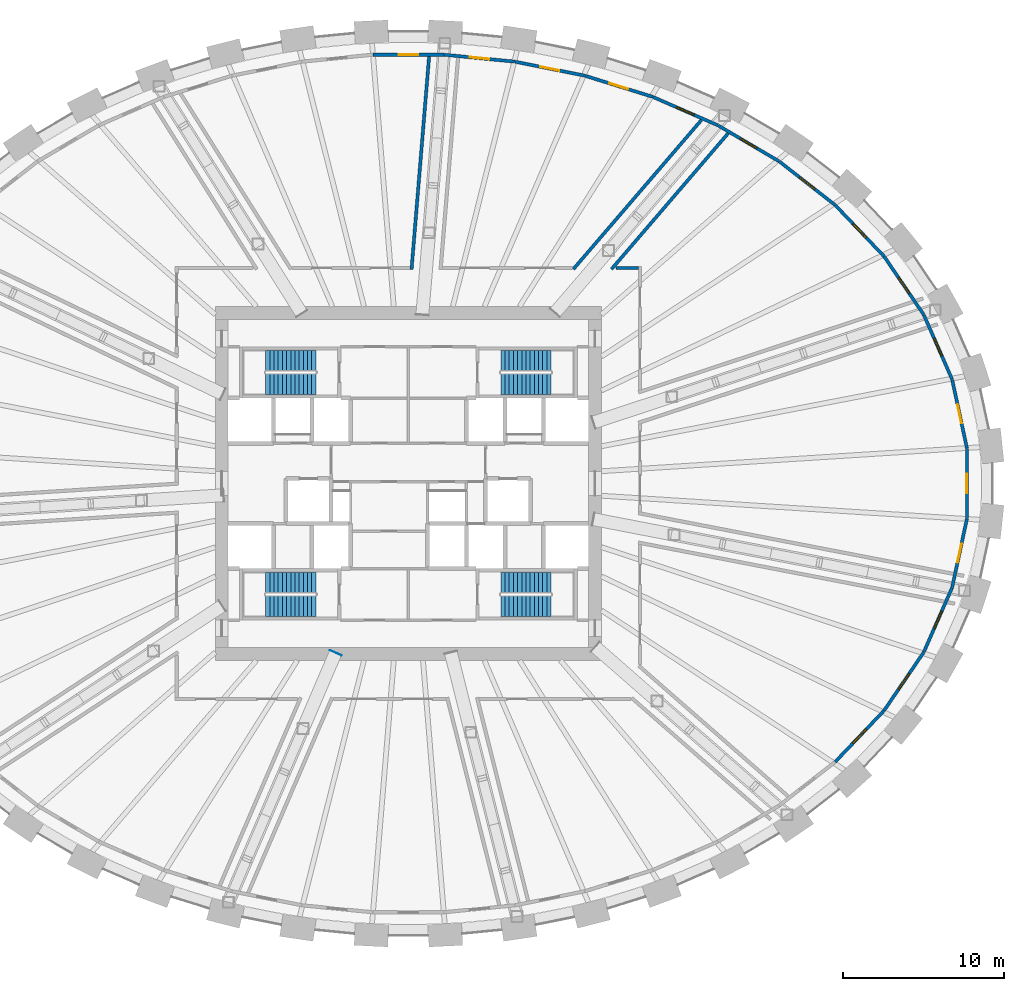
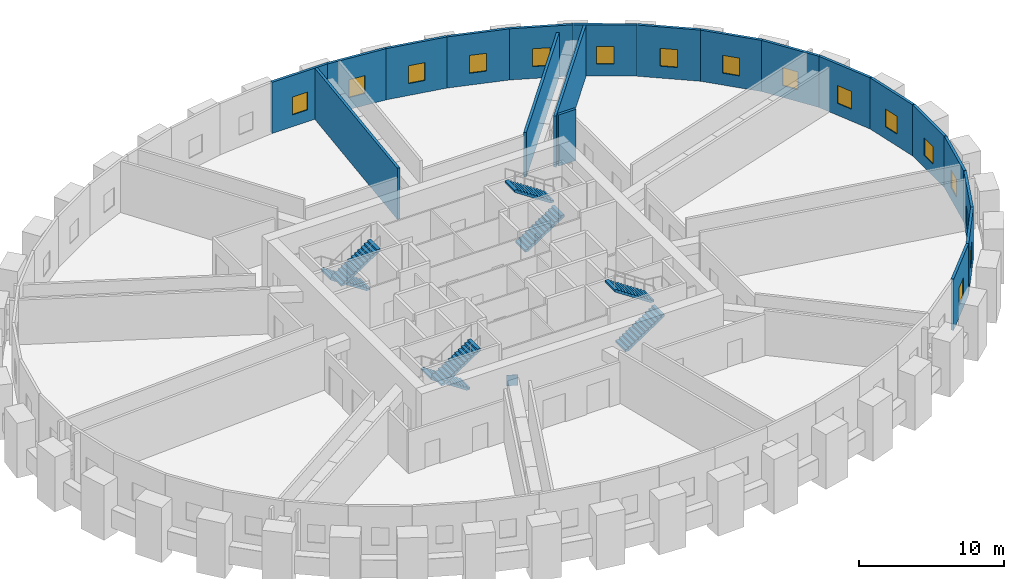
# One storey, part 11 of 13: 20 walls, 16 windows, 8 stair flights, 1 discrete accessory, 16 openings, 4 elements without a shape of their own.
"""IFC4 building model written with IfcOpenShell, lengths in metres."""

from ifc_helpers import new_model, si_unit, direction, frame, frame_2d, origin, origin_2d, place, context, subcontext, project, spatial, polyline, rectangle, outline, extrude, source, transform, mapped, material, layer, layer_set, type_object, element, fill, aggregate, save


model = new_model("IFC4")

# Units and contexts
model_context = context("Model", 3, precision=1e-05, world=origin(), true_north=direction((0.0, 1.0)))
body_context = subcontext(model_context, "Body", "Model", "MODEL_VIEW")
ifc_project = project(units=[si_unit("LENGTHUNIT", "METRE"), si_unit("AREAUNIT", "SQUARE_METRE"), si_unit("VOLUMEUNIT", "CUBIC_METRE"), si_unit("PLANEANGLEUNIT", "RADIAN"), si_unit("MASSUNIT", "GRAM", prefix="KILO")], contexts=[model_context])

# Site, building, storey
site_placement = place(None, origin())
site = spatial("IfcSite", under=ifc_project, at=site_placement, CompositionType="ELEMENT")
building_placement = place(site_placement, origin())
building = spatial("IfcBuilding", under=site, at=building_placement, Name="Embergate Tower", CompositionType="ELEMENT")
storey_placement = place(building_placement, frame((0.0, 0.0, 195.0)))
storey = spatial("IfcBuildingStorey", under=building, at=storey_placement, Name="L44", CompositionType="ELEMENT", Elevation=195.0)

# Wall, opening, window
ifc_material_1 = material(Name="Terracotta louvre cladding on insulated backing", Category="masonry")
ifc_layer_1 = layer(ifc_material_1, 0.199951171875)
ifc_layer_set_1 = layer_set([ifc_layer_1], Name="Terracotta louvre cladding on insulated backing")
wall_type_1 = type_object("IfcWallType", Name="Terracotta louvre wall", PredefinedType="SOLIDWALL", material=ifc_layer_set_1)
shared_shape_1 = source(origin(), body_context, "Body", "SweptSolid", [
    extrude(rectangle(XDim=4.35986328125, YDim=0.199951171875, at=frame_2d((2.179931640625, 0.0))), origin(), (0.0, 0.0, 1.0), 4.300048828125),
])
wall_1_placement = place(storey_placement, frame((33.805419921875, 6.46044921875, 0.0), z_axis=(0.0, 0.0, 1.0), x_axis=(0.210385645864, -0.977618473646, 0.0)))
wall_1 = element("IfcWall", 1, at=wall_1_placement, inside=storey, type_object=wall_type_1, Name="Louvre wall 1", PredefinedType="SOLIDWALL", context=body_context, shape_type="MappedRepresentation", body=[
    mapped(shared_shape_1, transform((0.0, 0.0, 0.0))),
])
shared_shape_2 = source(origin(), body_context, "Body", "SweptSolid", [
    extrude(rectangle(XDim=1.199951171875, YDim=1.5, at=frame_2d((0.60009765625, 0.75))), frame((0.0, 0.10986328125, 0.0), z_axis=(0.0, -1.0, 0.0), x_axis=(1.0, 0.0, 0.0)), (0.0, 0.0, 1.0), 0.219970703125),
])
opening_1_placement = place(wall_1_placement, frame((1.579833984375, 0.0, 1.0)))
opening_1 = element("IfcOpeningElement", 2, at=opening_1_placement, cuts=wall_1, Name="Opening RW", PredefinedType="OPENING", context=body_context, shape_type="MappedRepresentation", body=[
    mapped(shared_shape_2, transform((0.0, 0.0, 0.0))),
])
ifc_material_2 = material(Name="Aluminium, thermally broken, triple glazed", Category="aluminium")
window_type = type_object("IfcWindowType", Name="Refuge operable window", PartitioningType="SINGLE_PANEL", PredefinedType="WINDOW", material=ifc_material_2)
shared_shape_3 = source(origin(), body_context, "Body", "SweptSolid", [
    extrude(rectangle(XDim=1.199951171875, YDim=1.5, at=frame_2d((0.60009765625, 0.75))), frame((0.0, 0.030029296875, 0.0), z_axis=(0.0, -1.0, 0.0), x_axis=(1.0, 0.0, 0.0)), (0.0, 0.0, 1.0), 0.06005859375),
])
window_1_placement = place(opening_1_placement, origin())
window_1 = element("IfcWindow", 3, at=window_1_placement, inside=storey, type_object=window_type, Name="Refuge window 1", OverallHeight=1.5, OverallWidth=1.199951171875, PartitioningType="SINGLE_PANEL", PredefinedType="WINDOW", context=body_context, shape_type="MappedRepresentation", body=[
    mapped(shared_shape_3, transform((0.0, 0.0, 0.0))),
])
fill(opening_1, window_1)

wall_2_placement = place(storey_placement, frame((34.72265625, -2.1982421875, 0.0), z_axis=(0.0, 0.0, 1.0), x_axis=(-0.210385645864, -0.977618473646, 0.0)))
wall_2 = element("IfcWall", 4, at=wall_2_placement, inside=storey, type_object=wall_type_1, Name="Louvre wall 43", PredefinedType="SOLIDWALL", context=body_context, shape_type="MappedRepresentation", body=[
    mapped(shared_shape_1, transform((0.0, 0.0, 0.0))),
])
opening_2_placement = place(wall_2_placement, frame((1.579833984375, 0.0, 1.0)))
opening_2 = element("IfcOpeningElement", 5, at=opening_2_placement, cuts=wall_2, Name="Opening RW", PredefinedType="OPENING", context=body_context, shape_type="MappedRepresentation", body=[
    mapped(shared_shape_2, transform((0.0, 0.0, 0.0))),
])
window_2_placement = place(opening_2_placement, origin())
window_2 = element("IfcWindow", 6, at=window_2_placement, inside=storey, type_object=window_type, Name="Refuge window 43", OverallHeight=1.5, OverallWidth=1.199951171875, PartitioningType="SINGLE_PANEL", PredefinedType="WINDOW", context=body_context, shape_type="MappedRepresentation", body=[
    mapped(shared_shape_3, transform((0.0, 0.0, 0.0))),
])
fill(opening_2, window_2)

shared_shape_4 = source(origin(), body_context, "Body", "SweptSolid", [
    extrude(rectangle(XDim=4.36669921875, YDim=0.199951171875, at=frame_2d((2.183349609375, 0.0))), origin(), (0.0, 0.0, 1.0), 4.300048828125),
])
wall_3_placement = place(storey_placement, frame((32.04541015625, 10.478515625, 0.0), z_axis=(0.0, 0.0, 1.0), x_axis=(0.40165162364, -0.915792538312, 0.0)))
wall_3 = element("IfcWall", 7, at=wall_3_placement, inside=storey, type_object=wall_type_1, Name="Louvre wall 2", PredefinedType="SOLIDWALL", context=body_context, shape_type="MappedRepresentation", body=[
    mapped(shared_shape_4, transform((0.0, 0.0, 0.0))),
])
opening_3_placement = place(wall_3_placement, frame((1.58349609375, 0.0, 1.0)))
opening_3 = element("IfcOpeningElement", 8, at=opening_3_placement, cuts=wall_3, Name="Opening RW", PredefinedType="OPENING", context=body_context, shape_type="MappedRepresentation", body=[
    mapped(shared_shape_2, transform((0.0, 0.0, 0.0))),
])
window_3_placement = place(opening_3_placement, origin())
window_3 = element("IfcWindow", 9, at=window_3_placement, inside=storey, type_object=window_type, Name="Refuge window 2", OverallHeight=1.5, OverallWidth=1.199951171875, PartitioningType="SINGLE_PANEL", PredefinedType="WINDOW", context=body_context, shape_type="MappedRepresentation", body=[
    mapped(shared_shape_3, transform((0.0, 0.0, 0.0))),
])
fill(opening_3, window_3)

wall_4_placement = place(storey_placement, frame((33.79931640625, -6.4794921875, 0.0), z_axis=(0.0, 0.0, 1.0), x_axis=(-0.40165162364, -0.915792538312, 0.0)))
wall_4 = element("IfcWall", 10, at=wall_4_placement, inside=storey, type_object=wall_type_1, Name="Louvre wall 42", PredefinedType="SOLIDWALL", context=body_context, shape_type="MappedRepresentation", body=[
    mapped(shared_shape_4, transform((0.0, 0.0, 0.0))),
])
opening_4_placement = place(wall_4_placement, frame((1.58349609375, 0.0, 1.0)))
opening_4 = element("IfcOpeningElement", 11, at=opening_4_placement, cuts=wall_4, Name="Opening RW", PredefinedType="OPENING", context=body_context, shape_type="MappedRepresentation", body=[
    mapped(shared_shape_2, transform((0.0, 0.0, 0.0))),
])
window_4_placement = place(opening_4_placement, origin())
window_4 = element("IfcWindow", 12, at=window_4_placement, inside=storey, type_object=window_type, Name="Refuge window 42", OverallHeight=1.5, OverallWidth=1.199951171875, PartitioningType="SINGLE_PANEL", PredefinedType="WINDOW", context=body_context, shape_type="MappedRepresentation", body=[
    mapped(shared_shape_3, transform((0.0, 0.0, 0.0))),
])
fill(opening_4, window_4)

shared_shape_5 = source(origin(), body_context, "Body", "SweptSolid", [
    extrude(rectangle(XDim=4.375732421875, YDim=0.199951171875, at=frame_2d((2.18798828125, 0.0))), origin(), (0.0, 0.0, 1.0), 4.300048828125),
])
wall_5_placement = place(storey_placement, frame((29.5751953125, 14.1142578125, 0.0), z_axis=(0.0, 0.0, 1.0), x_axis=(0.562299338561, -0.826933766304, 0.0)))
wall_5 = element("IfcWall", 13, at=wall_5_placement, inside=storey, type_object=wall_type_1, Name="Louvre wall 3", PredefinedType="SOLIDWALL", context=body_context, shape_type="MappedRepresentation", body=[
    mapped(shared_shape_5, transform((0.0, 0.0, 0.0))),
])
opening_5_placement = place(wall_5_placement, frame((1.587890625, 0.0, 1.0)))
opening_5 = element("IfcOpeningElement", 14, at=opening_5_placement, cuts=wall_5, Name="Opening RW", PredefinedType="OPENING", context=body_context, shape_type="MappedRepresentation", body=[
    mapped(shared_shape_2, transform((0.0, 0.0, 0.0))),
])
window_5_placement = place(opening_5_placement, origin())
window_5 = element("IfcWindow", 15, at=window_5_placement, inside=storey, type_object=window_type, Name="Refuge window 3", OverallHeight=1.5, OverallWidth=1.199951171875, PartitioningType="SINGLE_PANEL", PredefinedType="WINDOW", context=body_context, shape_type="MappedRepresentation", body=[
    mapped(shared_shape_3, transform((0.0, 0.0, 0.0))),
])
fill(opening_5, window_5)

wall_6_placement = place(storey_placement, frame((32.03564453125, -10.495849609375, 0.0), z_axis=(0.0, 0.0, 1.0), x_axis=(-0.562299338561, -0.826933766304, 0.0)))
wall_6 = element("IfcWall", 16, at=wall_6_placement, inside=storey, type_object=wall_type_1, Name="Louvre wall 41", PredefinedType="SOLIDWALL", context=body_context, shape_type="MappedRepresentation", body=[
    mapped(shared_shape_5, transform((0.0, 0.0, 0.0))),
])
opening_6_placement = place(wall_6_placement, frame((1.587890625, 0.0, 1.0)))
opening_6 = element("IfcOpeningElement", 17, at=opening_6_placement, cuts=wall_6, Name="Opening RW", PredefinedType="OPENING", context=body_context, shape_type="MappedRepresentation", body=[
    mapped(shared_shape_2, transform((0.0, 0.0, 0.0))),
])
window_6_placement = place(opening_6_placement, origin())
window_6 = element("IfcWindow", 18, at=window_6_placement, inside=storey, type_object=window_type, Name="Refuge window 41", OverallHeight=1.5, OverallWidth=1.199951171875, PartitioningType="SINGLE_PANEL", PredefinedType="WINDOW", context=body_context, shape_type="MappedRepresentation", body=[
    mapped(shared_shape_3, transform((0.0, 0.0, 0.0))),
])
fill(opening_6, window_6)

shared_shape_6 = source(origin(), body_context, "Body", "SweptSolid", [
    extrude(rectangle(XDim=4.384521484375, YDim=0.199951171875, at=frame_2d((2.1923828125, 0.0))), origin(), (0.0, 0.0, 1.0), 4.300048828125),
])
wall_7_placement = place(storey_placement, frame((26.536865234375, 17.302734375, 0.0), z_axis=(0.0, 0.0, 1.0), x_axis=(0.690090256074, -0.723723316242, 0.0)))
wall_7 = element("IfcWall", 19, at=wall_7_placement, inside=storey, type_object=wall_type_1, Name="Louvre wall 4", PredefinedType="SOLIDWALL", context=body_context, shape_type="MappedRepresentation", body=[
    mapped(shared_shape_6, transform((0.0, 0.0, 0.0))),
])
opening_7_placement = place(wall_7_placement, frame((1.59228515625, 0.0, 1.0)))
opening_7 = element("IfcOpeningElement", 20, at=opening_7_placement, cuts=wall_7, Name="Opening RW", PredefinedType="OPENING", context=body_context, shape_type="MappedRepresentation", body=[
    mapped(shared_shape_2, transform((0.0, 0.0, 0.0))),
])
window_7_placement = place(opening_7_placement, origin())
window_7 = element("IfcWindow", 21, at=window_7_placement, inside=storey, type_object=window_type, Name="Refuge window 4", OverallHeight=1.5, OverallWidth=1.199951171875, PartitioningType="SINGLE_PANEL", PredefinedType="WINDOW", context=body_context, shape_type="MappedRepresentation", body=[
    mapped(shared_shape_3, transform((0.0, 0.0, 0.0))),
])
fill(opening_7, window_7)

wall_8_placement = place(storey_placement, frame((29.5625, -14.129638671875, 0.0), z_axis=(0.0, 0.0, 1.0), x_axis=(-0.690090256074, -0.723723316242, 0.0)))
wall_8 = element("IfcWall", 22, at=wall_8_placement, inside=storey, type_object=wall_type_1, Name="Louvre wall 40", PredefinedType="SOLIDWALL", context=body_context, shape_type="MappedRepresentation", body=[
    mapped(shared_shape_6, transform((0.0, 0.0, 0.0))),
])
opening_8_placement = place(wall_8_placement, frame((1.59228515625, 0.0, 1.0)))
opening_8 = element("IfcOpeningElement", 23, at=opening_8_placement, cuts=wall_8, Name="Opening RW", PredefinedType="OPENING", context=body_context, shape_type="MappedRepresentation", body=[
    mapped(shared_shape_2, transform((0.0, 0.0, 0.0))),
])
window_8_placement = place(opening_8_placement, origin())
window_8 = element("IfcWindow", 24, at=window_8_placement, inside=storey, type_object=window_type, Name="Refuge window 40", OverallHeight=1.5, OverallWidth=1.199951171875, PartitioningType="SINGLE_PANEL", PredefinedType="WINDOW", context=body_context, shape_type="MappedRepresentation", body=[
    mapped(shared_shape_3, transform((0.0, 0.0, 0.0))),
])
fill(opening_8, window_8)

shared_shape_7 = source(origin(), body_context, "Body", "SweptSolid", [
    extrude(rectangle(XDim=4.391845703125, YDim=0.199951171875, at=frame_2d((2.19580078125, 0.0))), origin(), (0.0, 0.0, 1.0), 4.300048828125),
])
wall_9_placement = place(storey_placement, frame((23.059814453125, 20.018310546875, 0.0), z_axis=(0.0, 0.0, 1.0), x_axis=(0.788318413973, -0.615267485075, 0.0)))
wall_9 = element("IfcWall", 25, at=wall_9_placement, inside=storey, type_object=wall_type_1, Name="Louvre wall 5", PredefinedType="SOLIDWALL", context=body_context, shape_type="MappedRepresentation", body=[
    mapped(shared_shape_7, transform((0.0, 0.0, 0.0))),
])
opening_9_placement = place(wall_9_placement, frame((1.595947265625, 0.0, 1.0)))
opening_9 = element("IfcOpeningElement", 26, at=opening_9_placement, cuts=wall_9, Name="Opening RW", PredefinedType="OPENING", context=body_context, shape_type="MappedRepresentation", body=[
    mapped(shared_shape_2, transform((0.0, 0.0, 0.0))),
])
window_9_placement = place(opening_9_placement, origin())
window_9 = element("IfcWindow", 27, at=window_9_placement, inside=storey, type_object=window_type, Name="Refuge window 5", OverallHeight=1.5, OverallWidth=1.199951171875, PartitioningType="SINGLE_PANEL", PredefinedType="WINDOW", context=body_context, shape_type="MappedRepresentation", body=[
    mapped(shared_shape_3, transform((0.0, 0.0, 0.0))),
])
fill(opening_9, window_9)

shared_shape_8 = source(origin(), body_context, "Body", "SweptSolid", [
    extrude(rectangle(XDim=4.398193359375, YDim=0.199951171875, at=frame_2d((2.19921875, 0.0))), origin(), (0.0, 0.0, 1.0), 4.300048828125),
])
wall_10_placement = place(storey_placement, frame((19.251708984375, 22.2587890625, 0.0), z_axis=(0.0, 0.0, 1.0), x_axis=(0.862038363545, -0.506843032681, 0.0)))
wall_10 = element("IfcWall", 28, at=wall_10_placement, inside=storey, type_object=wall_type_1, Name="Louvre wall 6", PredefinedType="SOLIDWALL", context=body_context, shape_type="MappedRepresentation", body=[
    mapped(shared_shape_8, transform((0.0, 0.0, 0.0))),
])
opening_10_placement = place(wall_10_placement, frame((1.59912109375, 0.0, 1.0)))
opening_10 = element("IfcOpeningElement", 29, at=opening_10_placement, cuts=wall_10, Name="Opening RW", PredefinedType="OPENING", context=body_context, shape_type="MappedRepresentation", body=[
    mapped(shared_shape_2, transform((0.0, 0.0, 0.0))),
])
window_10_placement = place(opening_10_placement, origin())
window_10 = element("IfcWindow", 30, at=window_10_placement, inside=storey, type_object=window_type, Name="Refuge window 6", OverallHeight=1.5, OverallWidth=1.199951171875, PartitioningType="SINGLE_PANEL", PredefinedType="WINDOW", context=body_context, shape_type="MappedRepresentation", body=[
    mapped(shared_shape_3, transform((0.0, 0.0, 0.0))),
])
fill(opening_10, window_10)

shared_shape_9 = source(origin(), body_context, "Body", "SweptSolid", [
    extrude(rectangle(XDim=4.402587890625, YDim=0.199951171875, at=frame_2d((2.201171875, 0.0))), origin(), (0.0, 0.0, 1.0), 4.300048828125),
])
wall_11_placement = place(storey_placement, frame((15.2001953125, 24.03173828125, 0.0), z_axis=(0.0, 0.0, 1.0), x_axis=(0.916226049161, -0.400661736181, 0.0)))
wall_11 = element("IfcWall", 31, at=wall_11_placement, inside=storey, type_object=wall_type_1, Name="Louvre wall 7", PredefinedType="SOLIDWALL", context=body_context, shape_type="MappedRepresentation", body=[
    mapped(shared_shape_9, transform((0.0, 0.0, 0.0))),
])
opening_11_placement = place(wall_11_placement, frame((1.601318359375, 0.0, 1.0)))
opening_11 = element("IfcOpeningElement", 32, at=opening_11_placement, cuts=wall_11, Name="Opening RW", PredefinedType="OPENING", context=body_context, shape_type="MappedRepresentation", body=[
    mapped(shared_shape_2, transform((0.0, 0.0, 0.0))),
])
window_11_placement = place(opening_11_placement, origin())
window_11 = element("IfcWindow", 33, at=window_11_placement, inside=storey, type_object=window_type, Name="Refuge window 7", OverallHeight=1.5, OverallWidth=1.199951171875, PartitioningType="SINGLE_PANEL", PredefinedType="WINDOW", context=body_context, shape_type="MappedRepresentation", body=[
    mapped(shared_shape_3, transform((0.0, 0.0, 0.0))),
])
fill(opening_11, window_11)

shared_shape_10 = source(origin(), body_context, "Body", "SweptSolid", [
    extrude(rectangle(XDim=4.406005859375, YDim=0.199951171875, at=frame_2d((2.203125, 0.0))), origin(), (0.0, 0.0, 1.0), 4.300048828125),
])
wall_12_placement = place(storey_placement, frame((10.974609375, 25.348876953125, 0.0), z_axis=(0.0, 0.0, 1.0), x_axis=(0.954774310251, -0.297331492589, 0.0)))
wall_12 = element("IfcWall", 34, at=wall_12_placement, inside=storey, type_object=wall_type_1, Name="Louvre wall 8", PredefinedType="SOLIDWALL", context=body_context, shape_type="MappedRepresentation", body=[
    mapped(shared_shape_10, transform((0.0, 0.0, 0.0))),
])
opening_12_placement = place(wall_12_placement, frame((1.60302734375, 0.0, 1.0)))
opening_12 = element("IfcOpeningElement", 35, at=opening_12_placement, cuts=wall_12, Name="Opening RW", PredefinedType="OPENING", context=body_context, shape_type="MappedRepresentation", body=[
    mapped(shared_shape_2, transform((0.0, 0.0, 0.0))),
])
window_12_placement = place(opening_12_placement, origin())
window_12 = element("IfcWindow", 36, at=window_12_placement, inside=storey, type_object=window_type, Name="Refuge window 8", OverallHeight=1.5, OverallWidth=1.199951171875, PartitioningType="SINGLE_PANEL", PredefinedType="WINDOW", context=body_context, shape_type="MappedRepresentation", body=[
    mapped(shared_shape_3, transform((0.0, 0.0, 0.0))),
])
fill(opening_12, window_12)

shared_shape_11 = source(origin(), body_context, "Body", "SweptSolid", [
    extrude(rectangle(XDim=4.408447265625, YDim=0.199951171875, at=frame_2d((2.2041015625, 0.0))), origin(), (0.0, 0.0, 1.0), 4.300048828125),
])
wall_13_placement = place(storey_placement, frame((6.633056640625, 26.220703125, 0.0), z_axis=(0.0, 0.0, 1.0), x_axis=(0.980471892556, -0.196659268553, 0.0)))
wall_13 = element("IfcWall", 37, at=wall_13_placement, inside=storey, type_object=wall_type_1, Name="Louvre wall 9", PredefinedType="SOLIDWALL", context=body_context, shape_type="MappedRepresentation", body=[
    mapped(shared_shape_11, transform((0.0, 0.0, 0.0))),
])
opening_13_placement = place(wall_13_placement, frame((1.60400390625, 0.0, 1.0)))
opening_13 = element("IfcOpeningElement", 38, at=opening_13_placement, cuts=wall_13, Name="Opening RW", PredefinedType="OPENING", context=body_context, shape_type="MappedRepresentation", body=[
    mapped(shared_shape_2, transform((0.0, 0.0, 0.0))),
])
window_13_placement = place(opening_13_placement, origin())
window_13 = element("IfcWindow", 39, at=window_13_placement, inside=storey, type_object=window_type, Name="Refuge window 9", OverallHeight=1.5, OverallWidth=1.199951171875, PartitioningType="SINGLE_PANEL", PredefinedType="WINDOW", context=body_context, shape_type="MappedRepresentation", body=[
    mapped(shared_shape_3, transform((0.0, 0.0, 0.0))),
])
fill(opening_13, window_13)

shared_shape_12 = source(origin(), body_context, "Body", "SweptSolid", [
    extrude(rectangle(XDim=4.40966796875, YDim=0.199951171875, at=frame_2d((2.204833984375, 0.0))), origin(), (0.0, 0.0, 1.0), 4.300048828125),
])
wall_14_placement = place(storey_placement, frame((2.224853515625, 26.65478515625, 0.0), z_axis=(0.0, 0.0, 1.0), x_axis=(0.99520836883, -0.097776799964, 0.0)))
wall_14 = element("IfcWall", 40, at=wall_14_placement, inside=storey, type_object=wall_type_1, Name="Louvre wall 10", PredefinedType="SOLIDWALL", context=body_context, shape_type="MappedRepresentation", body=[
    mapped(shared_shape_12, transform((0.0, 0.0, 0.0))),
])
opening_14_placement = place(wall_14_placement, frame((1.604736328125, 0.0, 1.0)))
opening_14 = element("IfcOpeningElement", 41, at=opening_14_placement, cuts=wall_14, Name="Opening RW", PredefinedType="OPENING", context=body_context, shape_type="MappedRepresentation", body=[
    mapped(shared_shape_2, transform((0.0, 0.0, 0.0))),
])
window_14_placement = place(opening_14_placement, origin())
window_14 = element("IfcWindow", 42, at=window_14_placement, inside=storey, type_object=window_type, Name="Refuge window 10", OverallHeight=1.5, OverallWidth=1.199951171875, PartitioningType="SINGLE_PANEL", PredefinedType="WINDOW", context=body_context, shape_type="MappedRepresentation", body=[
    mapped(shared_shape_3, transform((0.0, 0.0, 0.0))),
])
fill(opening_14, window_14)

shared_shape_13 = source(origin(), body_context, "Body", "SweptSolid", [
    extrude(rectangle(XDim=4.41015625, YDim=0.199951171875, at=frame_2d((2.205078125, 0.0))), origin(), (0.0, 0.0, 1.0), 4.300048828125),
])
wall_15_placement = place(storey_placement, frame((-2.205078125, 26.656005859375, 0.0), z_axis=(0.0, 0.0, 1.0), x_axis=(1.0, 0.0, 0.0)))
wall_15 = element("IfcWall", 43, at=wall_15_placement, inside=storey, type_object=wall_type_1, Name="Louvre wall 11", PredefinedType="SOLIDWALL", context=body_context, shape_type="MappedRepresentation", body=[
    mapped(shared_shape_13, transform((0.0, 0.0, 0.0))),
])
opening_15_placement = place(wall_15_placement, frame((1.60498046875, 0.0, 1.0)))
opening_15 = element("IfcOpeningElement", 44, at=opening_15_placement, cuts=wall_15, Name="Opening RW", PredefinedType="OPENING", context=body_context, shape_type="MappedRepresentation", body=[
    mapped(shared_shape_2, transform((0.0, 0.0, 0.0))),
])
window_15_placement = place(opening_15_placement, origin())
window_15 = element("IfcWindow", 45, at=window_15_placement, inside=storey, type_object=window_type, Name="Refuge window 11", OverallHeight=1.5, OverallWidth=1.199951171875, PartitioningType="SINGLE_PANEL", PredefinedType="WINDOW", context=body_context, shape_type="MappedRepresentation", body=[
    mapped(shared_shape_3, transform((0.0, 0.0, 0.0))),
])
fill(opening_15, window_15)

shared_shape_14 = source(origin(), body_context, "Body", "SweptSolid", [
    extrude(rectangle(XDim=4.35693359375, YDim=0.199951171875, at=frame_2d((2.178466796875, 0.0))), origin(), (0.0, 0.0, 1.0), 4.300048828125),
])
wall_16_placement = place(storey_placement, frame((34.724609375, 2.178466796875, 0.0), z_axis=(0.0, 0.0, 1.0), x_axis=(0.0, -1.0, 0.0)))
wall_16 = element("IfcWall", 46, at=wall_16_placement, inside=storey, type_object=wall_type_1, Name="Louvre wall 44", PredefinedType="SOLIDWALL", context=body_context, shape_type="MappedRepresentation", body=[
    mapped(shared_shape_14, transform((0.0, 0.0, 0.0))),
])
opening_16_placement = place(wall_16_placement, frame((1.57861328125, 0.0, 1.0)))
opening_16 = element("IfcOpeningElement", 47, at=opening_16_placement, cuts=wall_16, Name="Opening RW", PredefinedType="OPENING", context=body_context, shape_type="MappedRepresentation", body=[
    mapped(shared_shape_2, transform((0.0, 0.0, 0.0))),
])
window_16_placement = place(opening_16_placement, origin())
window_16 = element("IfcWindow", 48, at=window_16_placement, inside=storey, type_object=window_type, Name="Refuge window 44", OverallHeight=1.5, OverallWidth=1.199951171875, PartitioningType="SINGLE_PANEL", PredefinedType="WINDOW", context=body_context, shape_type="MappedRepresentation", body=[
    mapped(shared_shape_3, transform((0.0, 0.0, 0.0))),
])
fill(opening_16, window_16)

# Walls
ifc_material_3 = material(Name="Blockwork, plastered", Category="masonry")
ifc_layer_2 = layer(ifc_material_3, 0.199951171875)
ifc_layer_set_2 = layer_set([ifc_layer_2], Name="Blockwork, plastered")
wall_type_2 = type_object("IfcWallType", Name="Fire partition wall 200 block", PredefinedType="PARTITIONING", material=ifc_layer_set_2)
shared_shape_15 = source(origin(), body_context, "Body", "SweptSolid", [
    extrude(rectangle(XDim=13.31103515625, YDim=0.199951171875, at=frame_2d((6.655517578125, 0.0))), origin(), (0.0, 0.0, 1.0), 4.300048828125),
])
wall_17_placement = place(storey_placement, frame((1.291015625, 26.56591796875, 0.0), z_axis=(0.0, 0.0, 1.0), x_axis=(-0.082260699742, -0.996610845455, 0.0)))
element("IfcWall", 49, at=wall_17_placement, inside=storey, type_object=wall_type_2, Name="Partition 018", PredefinedType="PARTITIONING", context=body_context, shape_type="MappedRepresentation", body=[
    mapped(shared_shape_15, transform((0.0, 0.0, 0.0))),
])
shared_shape_16 = source(origin(), body_context, "Body", "SweptSolid", [
    extrude(rectangle(XDim=1.406982421875, YDim=0.199951171875, at=frame_2d((0.70361328125, 0.0))), origin(), (0.0, 0.0, 1.0), 4.300048828125),
])
wall_18_placement = place(storey_placement, frame((12.89306640625, 13.39990234375, 0.0), z_axis=(0.0, 0.0, 1.0), x_axis=(1.0, 0.0, 0.0)))
element("IfcWall", 50, at=wall_18_placement, inside=storey, type_object=wall_type_2, Name="Partition 024", PredefinedType="PARTITIONING", context=body_context, shape_type="MappedRepresentation", body=[
    mapped(shared_shape_16, transform((0.0, 0.0, 0.0))),
])
shared_shape_17 = source(origin(), body_context, "Body", "SweptSolid", [
    extrude(rectangle(XDim=11.134521484375, YDim=0.199951171875, at=frame_2d((5.5673828125, 0.0))), origin(), (0.0, 0.0, 1.0), 4.300048828125),
])
wall_19_placement = place(storey_placement, frame((12.6279296875, 13.323974609375, 0.0), z_axis=(0.0, 0.0, 1.0), x_axis=(0.651507957396, 0.758641800489, 0.0)))
element("IfcWall", 51, at=wall_19_placement, inside=storey, type_object=wall_type_2, Name="Partition 025", PredefinedType="PARTITIONING", context=body_context, shape_type="MappedRepresentation", body=[
    mapped(shared_shape_17, transform((0.0, 0.0, 0.0))),
])
shared_shape_18 = source(origin(), body_context, "Body", "SweptSolid", [
    extrude(rectangle(XDim=12.2177734375, YDim=0.199951171875, at=frame_2d((6.10888671875, 0.0))), origin(), (0.0, 0.0, 1.0), 3.75),
])
wall_20_placement = place(storey_placement, frame((18.216064453125, 22.593017578125, 0.0), z_axis=(0.0, 0.0, 1.0), x_axis=(-0.651501986892, -0.75864692781, 0.0)))
element("IfcWall", 52, at=wall_20_placement, inside=storey, type_object=wall_type_2, Name="Partition 033", PredefinedType="PARTITIONING", context=body_context, shape_type="MappedRepresentation", body=[
    mapped(shared_shape_18, transform((0.0, 0.0, 0.0))),
])

# Stair, stair flights
ifc_material_4 = material(Name="Exit stair")
stair_type = type_object("IfcStairType", Name="Exit stair", PredefinedType="HALF_TURN_STAIR", material=ifc_material_4)
stair_1_placement = place(storey_placement, origin())
stair_1 = element("IfcStair", 53, at=stair_1_placement, inside=storey, type_object=stair_type, Name="L44 Exit stair 1", PredefinedType="HALF_TURN_STAIR")
ifc_material_5 = material(Name="Concrete C40", Category="concrete")
stair_flight_type = type_object("IfcStairFlightType", Name="Stair flight reinforced concrete", PredefinedType="STRAIGHT", material=ifc_material_5)
shared_shape_19 = source(origin(), body_context, "Body", "SweptSolid", [
    extrude(outline(polyline([(0.0, 0.0), (0.0, 0.173095703125), (0.260009765625, 0.173095703125), (0.260009765625, 0.34619140625), (0.52001953125, 0.34619140625), (0.52001953125, 0.519287109375), (0.780029296875, 0.519287109375), (0.780029296875, 0.6923828125), (1.0400390625, 0.6923828125), (1.0400390625, 0.865478515625), (1.300048828125, 0.865478515625), (1.300048828125, 1.03857421875), (1.56005859375, 1.03857421875), (1.56005859375, 1.21142578125), (1.820068359375, 1.21142578125), (1.820068359375, 1.384521484375), (2.080078125, 1.384521484375), (2.080078125, 1.5576171875), (2.340087890625, 1.5576171875), (2.340087890625, 1.730712890625), (2.60009765625, 1.730712890625), (2.60009765625, 1.90380859375), (2.860107421875, 1.90380859375), (2.860107421875, 2.076904296875), (3.1201171875, 2.076904296875), (3.1201171875, 2.25), (3.1201171875, 1.896728515625), (0.2705078125, 0.0), (0.0, 0.0)])), frame((0.0, 0.675048828125, 0.0), z_axis=(0.0, -1.0, 0.0), x_axis=(1.0, 0.0, 0.0)), (0.0, 0.0, 1.0), 1.35009765625),
])
stair_flight_1_placement = place(storey_placement, frame((-5.75, 7.625, 0.0), z_axis=(0.0, 0.0, 1.0), x_axis=(-1.0, 0.0, 0.0)))
stair_flight_1 = element("IfcStairFlight", 54, at=stair_flight_1_placement, type_object=stair_flight_type, Name="ST1 flight 1", NumberOfRisers=13, NumberOfTreads=12, PredefinedType="STRAIGHT", RiserHeight=0.173076923, TreadLength=0.26, context=body_context, shape_type="MappedRepresentation", body=[
    mapped(shared_shape_19, transform((0.0, 0.0, 0.0))),
])
stair_flight_2_placement = place(storey_placement, frame((-8.8701171875, 6.175048828125, 2.25), z_axis=(0.0, 0.0, 1.0), x_axis=(1.0, 0.0, 0.0)))
stair_flight_2 = element("IfcStairFlight", 55, at=stair_flight_2_placement, type_object=stair_flight_type, Name="ST1 flight 2", NumberOfRisers=13, NumberOfTreads=12, PredefinedType="STRAIGHT", RiserHeight=0.173076923, TreadLength=0.26, context=body_context, shape_type="MappedRepresentation", body=[
    mapped(shared_shape_19, transform((0.0, 0.0, 0.0))),
])
aggregate(stair_1, [stair_flight_1, stair_flight_2])

stair_2_placement = place(storey_placement, origin())
stair_2 = element("IfcStair", 56, at=stair_2_placement, inside=storey, type_object=stair_type, Name="L44 Exit stair 2", PredefinedType="HALF_TURN_STAIR")
stair_flight_3_placement = place(storey_placement, frame((5.75, 6.175048828125, 0.0), z_axis=(0.0, 0.0, 1.0), x_axis=(1.0, 0.0, 0.0)))
stair_flight_3 = element("IfcStairFlight", 57, at=stair_flight_3_placement, type_object=stair_flight_type, Name="ST2 flight 1", NumberOfRisers=13, NumberOfTreads=12, PredefinedType="STRAIGHT", RiserHeight=0.173076923, TreadLength=0.26, context=body_context, shape_type="MappedRepresentation", body=[
    mapped(shared_shape_19, transform((0.0, 0.0, 0.0))),
])
stair_flight_4_placement = place(storey_placement, frame((8.8701171875, 7.625, 2.25), z_axis=(0.0, 0.0, 1.0), x_axis=(-1.0, 0.0, 0.0)))
stair_flight_4 = element("IfcStairFlight", 58, at=stair_flight_4_placement, type_object=stair_flight_type, Name="ST2 flight 2", NumberOfRisers=13, NumberOfTreads=12, PredefinedType="STRAIGHT", RiserHeight=0.173076923, TreadLength=0.26, context=body_context, shape_type="MappedRepresentation", body=[
    mapped(shared_shape_19, transform((0.0, 0.0, 0.0))),
])
aggregate(stair_2, [stair_flight_3, stair_flight_4])

stair_3_placement = place(storey_placement, origin())
stair_3 = element("IfcStair", 59, at=stair_3_placement, inside=storey, type_object=stair_type, Name="L44 Exit stair 3", PredefinedType="HALF_TURN_STAIR")
stair_flight_5_placement = place(storey_placement, frame((-5.75, -6.175048828125, 0.0), z_axis=(0.0, 0.0, 1.0), x_axis=(-1.0, 0.0, 0.0)))
stair_flight_5 = element("IfcStairFlight", 60, at=stair_flight_5_placement, type_object=stair_flight_type, Name="ST3 flight 1", NumberOfRisers=13, NumberOfTreads=12, PredefinedType="STRAIGHT", RiserHeight=0.173076923, TreadLength=0.26, context=body_context, shape_type="MappedRepresentation", body=[
    mapped(shared_shape_19, transform((0.0, 0.0, 0.0))),
])
stair_flight_6_placement = place(storey_placement, frame((-8.8701171875, -7.625, 2.25), z_axis=(0.0, 0.0, 1.0), x_axis=(1.0, 0.0, 0.0)))
stair_flight_6 = element("IfcStairFlight", 61, at=stair_flight_6_placement, type_object=stair_flight_type, Name="ST3 flight 2", NumberOfRisers=13, NumberOfTreads=12, PredefinedType="STRAIGHT", RiserHeight=0.173076923, TreadLength=0.26, context=body_context, shape_type="MappedRepresentation", body=[
    mapped(shared_shape_19, transform((0.0, 0.0, 0.0))),
])
aggregate(stair_3, [stair_flight_5, stair_flight_6])

stair_4_placement = place(storey_placement, origin())
stair_4 = element("IfcStair", 62, at=stair_4_placement, inside=storey, type_object=stair_type, Name="L44 Exit stair 4", PredefinedType="HALF_TURN_STAIR")
stair_flight_7_placement = place(storey_placement, frame((5.75, -7.625, 0.0), z_axis=(0.0, 0.0, 1.0), x_axis=(1.0, 0.0, 0.0)))
stair_flight_7 = element("IfcStairFlight", 63, at=stair_flight_7_placement, type_object=stair_flight_type, Name="ST4 flight 1", NumberOfRisers=13, NumberOfTreads=12, PredefinedType="STRAIGHT", RiserHeight=0.173076923, TreadLength=0.26, context=body_context, shape_type="MappedRepresentation", body=[
    mapped(shared_shape_19, transform((0.0, 0.0, 0.0))),
])
stair_flight_8_placement = place(storey_placement, frame((8.8701171875, -6.175048828125, 2.25), z_axis=(0.0, 0.0, 1.0), x_axis=(-1.0, 0.0, 0.0)))
stair_flight_8 = element("IfcStairFlight", 64, at=stair_flight_8_placement, type_object=stair_flight_type, Name="ST4 flight 2", NumberOfRisers=13, NumberOfTreads=12, PredefinedType="STRAIGHT", RiserHeight=0.173076923, TreadLength=0.26, context=body_context, shape_type="MappedRepresentation", body=[
    mapped(shared_shape_19, transform((0.0, 0.0, 0.0))),
])
aggregate(stair_4, [stair_flight_7, stair_flight_8])

# Discrete accessory
ifc_material_6 = material(Name="Steel Q355B plate with headed studs", Category="steel")
discrete_accessory_type = type_object("IfcDiscreteAccessoryType", Name="Cast-in embed plate with headed anchors 800x900", PredefinedType="USERDEFINED", material=ifc_material_6)
shared_shape_20 = source(origin(), body_context, "Body", "SweptSolid", [
    extrude(rectangle(XDim=0.030029296875, YDim=0.800048828125, at=origin_2d()), origin(), (0.0, 0.0, 1.0), 0.89990234375),
])
discrete_accessory_placement = place(storey_placement, frame((-4.52490234375, -10.527099609375, 2.1201171875), z_axis=(0.0, 0.0, 1.0), x_axis=(-0.394920244358, -0.918715407837, 0.0)))
element("IfcDiscreteAccessory", 65, at=discrete_accessory_placement, inside=storey, type_object=discrete_accessory_type, Name="Cast-in embed plate", ObjectType="BRACKET", PredefinedType="USERDEFINED", context=body_context, shape_type="MappedRepresentation", body=[
    mapped(shared_shape_20, transform((0.0, 0.0, 0.0))),
])

save(model, "model.ifc")
